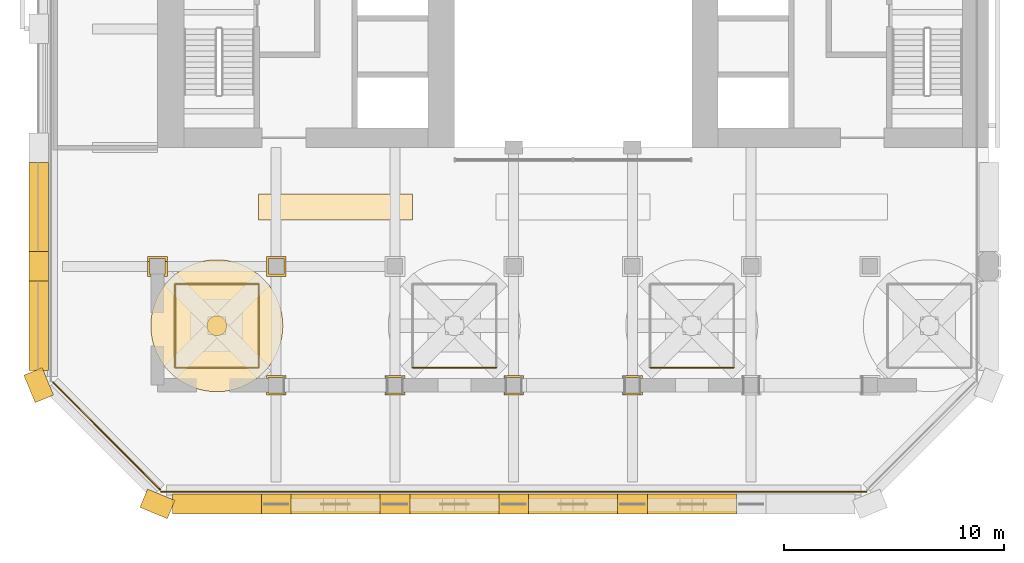
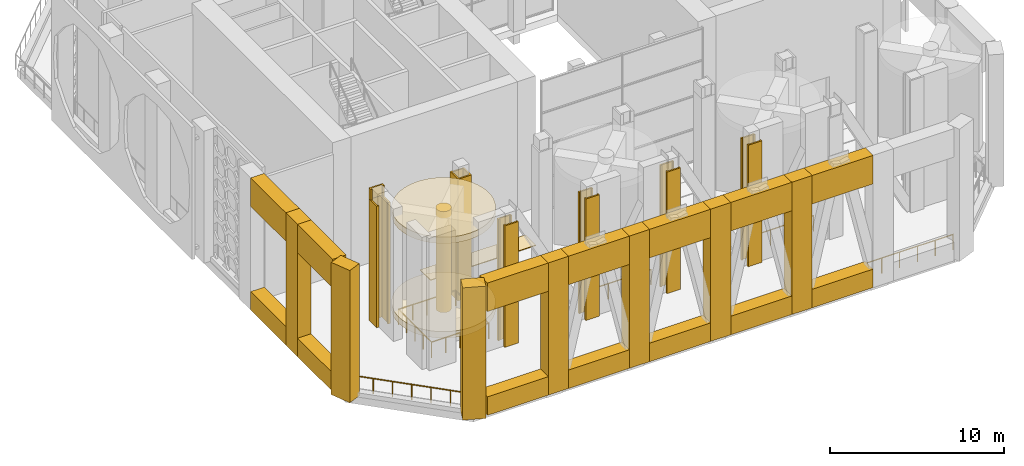
# One storey, part 21 of 28: 36 coverings, 8 railings.
"""IFC4 building model written with IfcOpenShell, lengths in metres."""

from ifc_helpers import new_model, si_unit, direction, frame, frame_2d, origin, origin_2d, place, context, subcontext, project, spatial, polyline, rectangle, circle, outline, extrude, material, layer, layer_set, material_profile, profile_set, type_object, element, save


model = new_model("IFC4")

# Units and contexts
model_context = context("Model", 3, precision=1e-05, world=origin(), true_north=direction((0.0, 1.0)))
body_context = subcontext(model_context, "Body", "Model", "MODEL_VIEW")
ifc_project = project(units=[si_unit("LENGTHUNIT", "METRE"), si_unit("AREAUNIT", "SQUARE_METRE"), si_unit("VOLUMEUNIT", "CUBIC_METRE"), si_unit("PLANEANGLEUNIT", "RADIAN"), si_unit("MASSUNIT", "GRAM", prefix="KILO")], contexts=[model_context])

# Site, building, storey
site_placement = place(None, origin())
site = spatial("IfcSite", under=ifc_project, at=site_placement, CompositionType="ELEMENT")
building_placement = place(site_placement, origin())
building = spatial("IfcBuilding", under=site, at=building_placement, Name="Tabaq Tower and Sports Hall", CompositionType="ELEMENT")
storey_placement = place(building_placement, frame((0.0, 0.0, 233.5)))
storey = spatial("IfcBuildingStorey", under=building, at=storey_placement, Name="L59", CompositionType="ELEMENT", Elevation=233.5)

# Coverings
ifc_material_1 = material(Name="Precast concrete C60/75", Category="concrete")
ifc_layer_1 = layer(ifc_material_1, 0.10009765625)
ifc_layer_set_1 = layer_set([ifc_layer_1], Name="Column cladding 100")
covering_type_1 = type_object("IfcCoveringType", Name="Column cladding 100", PredefinedType="CLADDING", material=ifc_layer_set_1)
covering_1_placement = place(storey_placement, origin())
element("IfcCovering", 1, at=covering_1_placement, inside=storey, type_object=covering_type_1, Name="Column cladding L59 CC-2C-S2", PredefinedType="CLADDING", context=body_context, shape_type="SweptSolid", body=[
    extrude(outline(polyline([(5.099609375, 10.44970703125), (5.099609375, 10.350341796875), (4.9501953125, 10.350341796875), (4.9501953125, 11.249755859375), (5.849609375, 11.249755859375), (5.849609375, 10.350341796875), (5.7001953125, 10.350341796875), (5.7001953125, 10.44970703125), (5.750244140625, 10.44970703125), (5.750244140625, 11.150390625), (5.0498046875, 11.150390625), (5.0498046875, 10.44970703125), (5.099609375, 10.44970703125)])), origin(), (0.0, 0.0, 1.0), 8.550048828125),
])
covering_2_placement = place(storey_placement, frame((0.0, 0.0, 8.550048828125)))
element("IfcCovering", 2, at=covering_2_placement, inside=storey, type_object=covering_type_1, Name="Column cladding L59 CC-2C-S2 head", PredefinedType="CLADDING", context=body_context, shape_type="SweptSolid", body=[
    extrude(outline(polyline([(5.04931640625, 11.025634765625), (4.95068359375, 11.025634765625), (4.95068359375, 11.24951171875), (5.849365234375, 11.24951171875), (5.849365234375, 11.025634765625), (5.75048828125, 11.025634765625), (5.75048828125, 11.150634765625), (5.04931640625, 11.150634765625), (5.04931640625, 11.025634765625)])), origin(), (0.0, 0.0, 1.0), 0.75),
])
covering_3_placement = place(storey_placement, origin())
element("IfcCovering", 3, at=covering_3_placement, inside=storey, type_object=covering_type_1, Name="Column cladding L59 CC-3B-S2", PredefinedType="CLADDING", context=body_context, shape_type="SweptSolid", body=[
    extrude(outline(polyline([(10.449462890625, 5.099365234375), (10.449462890625, 5.04931640625), (11.134521484375, 5.04931640625), (11.134521484375, 4.99951171875), (11.16552734375, 4.99951171875), (11.16552734375, 5.099365234375), (11.24951171875, 5.099365234375), (11.24951171875, 4.95068359375), (10.3505859375, 4.95068359375), (10.3505859375, 5.099365234375), (10.449462890625, 5.099365234375)])), origin(), (0.0, 0.0, 1.0), 8.550048828125),
])
covering_4_placement = place(storey_placement, origin())
element("IfcCovering", 4, at=covering_4_placement, inside=storey, type_object=covering_type_1, Name="Column cladding L59 CC-3B-S2 2", PredefinedType="CLADDING", context=body_context, shape_type="SweptSolid", body=[
    extrude(outline(polyline([(10.449462890625, 5.70068359375), (10.3505859375, 5.70068359375), (10.3505859375, 5.849365234375), (11.24951171875, 5.849365234375), (11.24951171875, 5.70068359375), (11.16552734375, 5.70068359375), (11.16552734375, 5.800537109375), (11.134521484375, 5.800537109375), (11.134521484375, 5.75048828125), (10.449462890625, 5.75048828125), (10.449462890625, 5.70068359375)])), origin(), (0.0, 0.0, 1.0), 8.550048828125),
])
covering_5_placement = place(storey_placement, origin())
element("IfcCovering", 5, at=covering_5_placement, inside=storey, type_object=covering_type_1, Name="Column cladding L59 CC-3C-S2", PredefinedType="CLADDING", context=body_context, shape_type="SweptSolid", body=[
    extrude(outline(polyline([(10.350341796875, 11.249755859375), (11.249755859375, 11.249755859375), (11.249755859375, 10.350341796875), (10.350341796875, 10.350341796875), (10.350341796875, 11.249755859375)]), holes=[polyline([(11.150390625, 10.44970703125), (11.150390625, 11.150390625), (10.44970703125, 11.150390625), (10.44970703125, 10.44970703125), (11.150390625, 10.44970703125)])]), origin(), (0.0, 0.0, 1.0), 8.550048828125),
])
covering_6_placement = place(storey_placement, origin())
element("IfcCovering", 6, at=covering_6_placement, inside=storey, type_object=covering_type_1, Name="Column cladding L59 CC-4B-S2", PredefinedType="CLADDING", context=body_context, shape_type="SweptSolid", body=[
    extrude(outline(polyline([(16.649658203125, 4.9501953125), (15.750244140625, 4.9501953125), (15.750244140625, 5.099609375), (15.834716796875, 5.099609375), (15.834716796875, 4.999755859375), (15.865234375, 4.999755859375), (15.865234375, 5.0498046875), (16.53466796875, 5.0498046875), (16.53466796875, 4.999755859375), (16.565185546875, 4.999755859375), (16.565185546875, 5.099609375), (16.649658203125, 5.099609375), (16.649658203125, 4.9501953125)])), origin(), (0.0, 0.0, 1.0), 8.550048828125),
])
covering_7_placement = place(storey_placement, origin())
element("IfcCovering", 7, at=covering_7_placement, inside=storey, type_object=covering_type_1, Name="Column cladding L59 CC-4B-S2 2", PredefinedType="CLADDING", context=body_context, shape_type="SweptSolid", body=[
    extrude(outline(polyline([(16.649658203125, 5.849609375), (16.649658203125, 5.7001953125), (16.565185546875, 5.7001953125), (16.565185546875, 5.80029296875), (16.53466796875, 5.80029296875), (16.53466796875, 5.750244140625), (15.865234375, 5.750244140625), (15.865234375, 5.80029296875), (15.834716796875, 5.80029296875), (15.834716796875, 5.7001953125), (15.750244140625, 5.7001953125), (15.750244140625, 5.849609375), (16.649658203125, 5.849609375)])), origin(), (0.0, 0.0, 1.0), 8.550048828125),
])
covering_8_placement = place(storey_placement, origin())
element("IfcCovering", 8, at=covering_8_placement, inside=storey, type_object=covering_type_1, Name="Column cladding L59 CC-5B-S2", PredefinedType="CLADDING", context=body_context, shape_type="SweptSolid", body=[
    extrude(outline(polyline([(22.0498046875, 4.9501953125), (21.150390625, 4.9501953125), (21.150390625, 5.099609375), (21.234619140625, 5.099609375), (21.234619140625, 4.999755859375), (21.265380859375, 4.999755859375), (21.265380859375, 5.0498046875), (21.934814453125, 5.0498046875), (21.934814453125, 4.999755859375), (21.96533203125, 4.999755859375), (21.96533203125, 5.099609375), (22.0498046875, 5.099609375), (22.0498046875, 4.9501953125)])), origin(), (0.0, 0.0, 1.0), 8.550048828125),
])
covering_9_placement = place(storey_placement, origin())
element("IfcCovering", 9, at=covering_9_placement, inside=storey, type_object=covering_type_1, Name="Column cladding L59 CC-5B-S2 2", PredefinedType="CLADDING", context=body_context, shape_type="SweptSolid", body=[
    extrude(outline(polyline([(22.0498046875, 5.849609375), (22.0498046875, 5.7001953125), (21.96533203125, 5.7001953125), (21.96533203125, 5.80029296875), (21.934814453125, 5.80029296875), (21.934814453125, 5.750244140625), (21.265380859375, 5.750244140625), (21.265380859375, 5.80029296875), (21.234619140625, 5.80029296875), (21.234619140625, 5.7001953125), (21.150390625, 5.7001953125), (21.150390625, 5.849609375), (22.0498046875, 5.849609375)])), origin(), (0.0, 0.0, 1.0), 8.550048828125),
])
covering_10_placement = place(storey_placement, origin())
element("IfcCovering", 10, at=covering_10_placement, inside=storey, type_object=covering_type_1, Name="Column cladding L59 CC-6B-S2", PredefinedType="CLADDING", context=body_context, shape_type="SweptSolid", body=[
    extrude(outline(polyline([(27.44970703125, 4.9501953125), (26.55029296875, 4.9501953125), (26.55029296875, 5.099609375), (26.634765625, 5.099609375), (26.634765625, 4.999755859375), (26.665283203125, 4.999755859375), (26.665283203125, 5.0498046875), (27.334716796875, 5.0498046875), (27.334716796875, 4.999755859375), (27.365234375, 4.999755859375), (27.365234375, 5.099609375), (27.44970703125, 5.099609375), (27.44970703125, 4.9501953125)])), origin(), (0.0, 0.0, 1.0), 8.550048828125),
])
covering_11_placement = place(storey_placement, origin())
element("IfcCovering", 11, at=covering_11_placement, inside=storey, type_object=covering_type_1, Name="Column cladding L59 CC-6B-S2 2", PredefinedType="CLADDING", context=body_context, shape_type="SweptSolid", body=[
    extrude(outline(polyline([(27.44970703125, 5.849609375), (27.44970703125, 5.7001953125), (27.365234375, 5.7001953125), (27.365234375, 5.80029296875), (27.334716796875, 5.80029296875), (27.334716796875, 5.750244140625), (26.665283203125, 5.750244140625), (26.665283203125, 5.80029296875), (26.634765625, 5.80029296875), (26.634765625, 5.7001953125), (26.55029296875, 5.7001953125), (26.55029296875, 5.849609375), (27.44970703125, 5.849609375)])), origin(), (0.0, 0.0, 1.0), 8.550048828125),
])

# Railings
ifc_material_2 = material(Name="Stainless steel S316 and laminated glass", Category="steel")
railing_type = type_object("IfcRailingType", Name="Guard 1100 steel and glass", PredefinedType="GUARDRAIL", material=ifc_material_2)
railing_1_placement = place(storey_placement, frame((5.565673828125, 0.550048828125, 0.0)))
element("IfcRailing", 12, at=railing_1_placement, inside=storey, type_object=railing_type, Name="Guard L59 S", PredefinedType="GUARDRAIL", context=body_context, shape_type="SweptSolid", body=[
    extrude(circle(Radius=0.02490234375, at=origin_2d()), frame((0.0, 0.0, 1.0751953125), z_axis=(1.0, 0.0, 0.0), x_axis=(0.0, 1.0, 0.0)), (0.0, 0.0, 1.0), 32.068603515625),
    extrude(circle(Radius=0.02001953125, at=origin_2d()), origin(), (0.0, 0.0, 1.0), 1.050048828125),
    extrude(circle(Radius=0.02001953125, at=origin_2d()), frame((1.187744140625, 0.0, 0.0)), (0.0, 0.0, 1.0), 1.050048828125),
    extrude(circle(Radius=0.02001953125, at=origin_2d()), frame((2.37548828125, 0.0, 0.0)), (0.0, 0.0, 1.0), 1.050048828125),
    extrude(circle(Radius=0.02001953125, at=origin_2d()), frame((3.563232421875, 0.0, 0.0)), (0.0, 0.0, 1.0), 1.050048828125),
    extrude(circle(Radius=0.02001953125, at=origin_2d()), frame((4.7509765625, 0.0, 0.0)), (0.0, 0.0, 1.0), 1.050048828125),
    extrude(circle(Radius=0.02001953125, at=origin_2d()), frame((5.938720703125, 0.0, 0.0)), (0.0, 0.0, 1.0), 1.050048828125),
    extrude(circle(Radius=0.02001953125, at=origin_2d()), frame((7.12646484375, 0.0, 0.0)), (0.0, 0.0, 1.0), 1.050048828125),
    extrude(circle(Radius=0.02001953125, at=origin_2d()), frame((8.31396484375, 0.0, 0.0)), (0.0, 0.0, 1.0), 1.050048828125),
    extrude(circle(Radius=0.02001953125, at=origin_2d()), frame((9.501708984375, 0.0, 0.0)), (0.0, 0.0, 1.0), 1.050048828125),
    extrude(circle(Radius=0.02001953125, at=origin_2d()), frame((10.689453125, 0.0, 0.0)), (0.0, 0.0, 1.0), 1.050048828125),
    extrude(circle(Radius=0.02001953125, at=origin_2d()), frame((11.877197265625, 0.0, 0.0)), (0.0, 0.0, 1.0), 1.050048828125),
    extrude(circle(Radius=0.02001953125, at=origin_2d()), frame((13.06494140625, 0.0, 0.0)), (0.0, 0.0, 1.0), 1.050048828125),
    extrude(circle(Radius=0.02001953125, at=origin_2d()), frame((14.252685546875, 0.0, 0.0)), (0.0, 0.0, 1.0), 1.050048828125),
    extrude(circle(Radius=0.02001953125, at=origin_2d()), frame((15.4404296875, 0.0, 0.0)), (0.0, 0.0, 1.0), 1.050048828125),
    extrude(circle(Radius=0.02001953125, at=origin_2d()), frame((16.628173828125, 0.0, 0.0)), (0.0, 0.0, 1.0), 1.050048828125),
    extrude(circle(Radius=0.02001953125, at=origin_2d()), frame((17.81591796875, 0.0, 0.0)), (0.0, 0.0, 1.0), 1.050048828125),
    extrude(circle(Radius=0.02001953125, at=origin_2d()), frame((19.003662109375, 0.0, 0.0)), (0.0, 0.0, 1.0), 1.050048828125),
    extrude(circle(Radius=0.02001953125, at=origin_2d()), frame((20.19140625, 0.0, 0.0)), (0.0, 0.0, 1.0), 1.050048828125),
    extrude(circle(Radius=0.02001953125, at=origin_2d()), frame((21.379150390625, 0.0, 0.0)), (0.0, 0.0, 1.0), 1.050048828125),
    extrude(circle(Radius=0.02001953125, at=origin_2d()), frame((22.56689453125, 0.0, 0.0)), (0.0, 0.0, 1.0), 1.050048828125),
    extrude(circle(Radius=0.02001953125, at=origin_2d()), frame((23.754638671875, 0.0, 0.0)), (0.0, 0.0, 1.0), 1.050048828125),
    extrude(circle(Radius=0.02001953125, at=origin_2d()), frame((24.942138671875, 0.0, 0.0)), (0.0, 0.0, 1.0), 1.050048828125),
    extrude(circle(Radius=0.02001953125, at=origin_2d()), frame((26.1298828125, 0.0, 0.0)), (0.0, 0.0, 1.0), 1.050048828125),
    extrude(circle(Radius=0.02001953125, at=origin_2d()), frame((27.317626953125, 0.0, 0.0)), (0.0, 0.0, 1.0), 1.050048828125),
    extrude(circle(Radius=0.02001953125, at=origin_2d()), frame((28.50537109375, 0.0, 0.0)), (0.0, 0.0, 1.0), 1.050048828125),
    extrude(circle(Radius=0.02001953125, at=origin_2d()), frame((29.693115234375, 0.0, 0.0)), (0.0, 0.0, 1.0), 1.050048828125),
    extrude(circle(Radius=0.02001953125, at=origin_2d()), frame((30.880859375, 0.0, 0.0)), (0.0, 0.0, 1.0), 1.050048828125),
    extrude(circle(Radius=0.02001953125, at=origin_2d()), frame((32.068603515625, 0.0, 0.0)), (0.0, 0.0, 1.0), 1.050048828125),
])
railing_2_placement = place(storey_placement, frame((0.64892578125, 5.52880859375, 0.0)))
element("IfcRailing", 13, at=railing_2_placement, inside=storey, type_object=railing_type, Name="Guard L59 SW", PredefinedType="GUARDRAIL", context=body_context, shape_type="SweptSolid", body=[
    extrude(circle(Radius=0.02490234375, at=origin_2d()), frame((0.0, 0.0, 1.0751953125), z_axis=(0.707106781187, -0.707106781187, 0.0), x_axis=(0.707106781187, 0.707106781187, 0.0)), (0.0, 0.0, 1.0), 6.901123046875),
    extrude(circle(Radius=0.02001953125, at=origin_2d()), origin(), (0.0, 0.0, 1.0), 1.050048828125),
    extrude(circle(Radius=0.02001953125, at=origin_2d()), frame((0.813232421875, -0.813232421875, 0.0)), (0.0, 0.0, 1.0), 1.050048828125),
    extrude(circle(Radius=0.02001953125, at=origin_2d()), frame((1.626708984375, -1.626708984375, 0.0)), (0.0, 0.0, 1.0), 1.050048828125),
    extrude(circle(Radius=0.02001953125, at=origin_2d()), frame((2.43994140625, -2.43994140625, 0.0)), (0.0, 0.0, 1.0), 1.050048828125),
    extrude(circle(Radius=0.02001953125, at=origin_2d()), frame((3.253173828125, -3.253173828125, 0.0)), (0.0, 0.0, 1.0), 1.050048828125),
    extrude(circle(Radius=0.02001953125, at=origin_2d()), frame((4.066650390625, -4.066650390625, 0.0)), (0.0, 0.0, 1.0), 1.050048828125),
    extrude(circle(Radius=0.02001953125, at=origin_2d()), frame((4.8798828125, -4.8798828125, 0.0)), (0.0, 0.0, 1.0), 1.050048828125),
])
railing_3_placement = place(storey_placement, frame((6.199951171875, 6.199951171875, 0.0)))
element("IfcRailing", 14, at=railing_3_placement, inside=storey, type_object=railing_type, Name="Turbine guard 1", PredefinedType="GUARDRAIL", context=body_context, shape_type="SweptSolid", body=[
    extrude(circle(Radius=0.02490234375, at=origin_2d()), frame((0.0, 0.0, 1.0751953125), z_axis=(1.0, 0.0, 0.0), x_axis=(0.0, 1.0, 0.0)), (0.0, 0.0, 1.0), 3.800048828125),
    extrude(circle(Radius=0.02001953125, at=origin_2d()), origin(), (0.0, 0.0, 1.0), 1.050048828125),
    extrude(circle(Radius=0.02001953125, at=origin_2d()), frame((0.949951171875, 0.0, 0.0)), (0.0, 0.0, 1.0), 1.050048828125),
    extrude(circle(Radius=0.02001953125, at=origin_2d()), frame((1.89990234375, 0.0, 0.0)), (0.0, 0.0, 1.0), 1.050048828125),
    extrude(circle(Radius=0.02001953125, at=origin_2d()), frame((2.85009765625, 0.0, 0.0)), (0.0, 0.0, 1.0), 1.050048828125),
    extrude(circle(Radius=0.02001953125, at=origin_2d()), frame((3.800048828125, 0.0, 0.0)), (0.0, 0.0, 1.0), 1.050048828125),
])
railing_4_placement = place(storey_placement, frame((10.0, 6.199951171875, 0.0)))
element("IfcRailing", 15, at=railing_4_placement, inside=storey, type_object=railing_type, Name="Turbine guard 1", PredefinedType="GUARDRAIL", context=body_context, shape_type="SweptSolid", body=[
    extrude(circle(Radius=0.02490234375, at=origin_2d()), frame((0.0, 0.0, 1.0751953125), z_axis=(0.0, 1.0, 0.0), x_axis=(-1.0, 0.0, 0.0)), (0.0, 0.0, 1.0), 3.800048828125),
    extrude(circle(Radius=0.02001953125, at=origin_2d()), origin(), (0.0, 0.0, 1.0), 1.050048828125),
    extrude(circle(Radius=0.02001953125, at=origin_2d()), frame((0.0, 0.949951171875, 0.0)), (0.0, 0.0, 1.0), 1.050048828125),
    extrude(circle(Radius=0.02001953125, at=origin_2d()), frame((0.0, 1.89990234375, 0.0)), (0.0, 0.0, 1.0), 1.050048828125),
    extrude(circle(Radius=0.02001953125, at=origin_2d()), frame((0.0, 2.85009765625, 0.0)), (0.0, 0.0, 1.0), 1.050048828125),
    extrude(circle(Radius=0.02001953125, at=origin_2d()), frame((0.0, 3.800048828125, 0.0)), (0.0, 0.0, 1.0), 1.050048828125),
])
railing_5_placement = place(storey_placement, frame((10.0, 10.0, 0.0)))
element("IfcRailing", 16, at=railing_5_placement, inside=storey, type_object=railing_type, Name="Turbine guard 1", PredefinedType="GUARDRAIL", context=body_context, shape_type="SweptSolid", body=[
    extrude(circle(Radius=0.02490234375, at=origin_2d()), frame((0.0, 0.0, 1.0751953125), z_axis=(-1.0, 0.0, 0.0), x_axis=(0.0, -1.0, 0.0)), (0.0, 0.0, 1.0), 3.800048828125),
    extrude(circle(Radius=0.02001953125, at=origin_2d()), origin(), (0.0, 0.0, 1.0), 1.050048828125),
    extrude(circle(Radius=0.02001953125, at=origin_2d()), frame((-0.949951171875, 0.0, 0.0)), (0.0, 0.0, 1.0), 1.050048828125),
    extrude(circle(Radius=0.02001953125, at=origin_2d()), frame((-1.89990234375, 0.0, 0.0)), (0.0, 0.0, 1.0), 1.050048828125),
    extrude(circle(Radius=0.02001953125, at=origin_2d()), frame((-2.85009765625, 0.0, 0.0)), (0.0, 0.0, 1.0), 1.050048828125),
    extrude(circle(Radius=0.02001953125, at=origin_2d()), frame((-3.800048828125, 0.0, 0.0)), (0.0, 0.0, 1.0), 1.050048828125),
])
railing_6_placement = place(storey_placement, frame((6.199951171875, 10.0, 0.0)))
element("IfcRailing", 17, at=railing_6_placement, inside=storey, type_object=railing_type, Name="Turbine guard 1", PredefinedType="GUARDRAIL", context=body_context, shape_type="SweptSolid", body=[
    extrude(circle(Radius=0.02490234375, at=origin_2d()), frame((0.0, 0.0, 1.0751953125), z_axis=(0.0, -1.0, 0.0), x_axis=(1.0, 0.0, 0.0)), (0.0, 0.0, 1.0), 3.800048828125),
    extrude(circle(Radius=0.02001953125, at=origin_2d()), origin(), (0.0, 0.0, 1.0), 1.050048828125),
    extrude(circle(Radius=0.02001953125, at=origin_2d()), frame((0.0, -0.949951171875, 0.0)), (0.0, 0.0, 1.0), 1.050048828125),
    extrude(circle(Radius=0.02001953125, at=origin_2d()), frame((0.0, -1.89990234375, 0.0)), (0.0, 0.0, 1.0), 1.050048828125),
    extrude(circle(Radius=0.02001953125, at=origin_2d()), frame((0.0, -2.85009765625, 0.0)), (0.0, 0.0, 1.0), 1.050048828125),
    extrude(circle(Radius=0.02001953125, at=origin_2d()), frame((0.0, -3.800048828125, 0.0)), (0.0, 0.0, 1.0), 1.050048828125),
])
for number, where, name in (
    (18, (17.0, 6.199951171875, 0.0), "Turbine guard 2"),
    (19, (27.800048828125, 6.199951171875, 0.0), "Turbine guard 3"),
):
    element("IfcRailing", number, at=place(storey_placement, frame(where)), inside=storey, type_object=railing_type, Name=name, PredefinedType="GUARDRAIL", context=body_context, shape_type="SweptSolid", body=[
        extrude(circle(Radius=0.02490234375, at=origin_2d()), frame((0.0, 0.0, 1.0751953125), z_axis=(1.0, 0.0, 0.0), x_axis=(0.0, 1.0, 0.0)), (0.0, 0.0, 1.0), 3.800048828125),
        extrude(circle(Radius=0.02001953125, at=origin_2d()), origin(), (0.0, 0.0, 1.0), 1.050048828125),
        extrude(circle(Radius=0.02001953125, at=origin_2d()), frame((0.949951171875, 0.0, 0.0)), (0.0, 0.0, 1.0), 1.050048828125),
        extrude(circle(Radius=0.02001953125, at=origin_2d()), frame((1.89990234375, 0.0, 0.0)), (0.0, 0.0, 1.0), 1.050048828125),
        extrude(circle(Radius=0.02001953125, at=origin_2d()), frame((2.85009765625, 0.0, 0.0)), (0.0, 0.0, 1.0), 1.050048828125),
        extrude(circle(Radius=0.02001953125, at=origin_2d()), frame((3.800048828125, 0.0, 0.0)), (0.0, 0.0, 1.0), 1.050048828125),
    ])

# Coverings
ifc_material_3 = material(Name="White precast concrete C60/75", Category="concrete")
covering_type_2 = type_object("IfcCoveringType", Name="Pier cladding hung 1350x900", PredefinedType="CLADDING", material=ifc_material_3)
for number, where, z_axis, x_axis, name in (
    (20, (-0.25830078125, 6.023681640625, 0.0), (0.0, 0.0, 1.0), (0.382649923473, -0.923893411637, 0.0), "Hung pier cladding 0/1"),
    (21, (0.0, 11.47509765625, 0.0), (0.0, 0.0, 1.0), (0.0, -1.0, 0.0), "Hung pier cladding 0/2"),
    (22, (4.7763671875, 0.25830078125, 0.0), (0.0, 0.0, 1.0), (0.923893411637, -0.382649923473, 0.0), "Hung pier cladding 1/0"),
    (23, (10.125, 0.0, 0.0), (0.0, 0.0, 1.0), (1.0, 0.0, 0.0), "Hung pier cladding 2/0"),
    (24, (15.52490234375, 0.0, 0.0), (0.0, 0.0, 1.0), (1.0, 0.0, 0.0), "Hung pier cladding 3/0"),
):
    element("IfcCovering", number, at=place(storey_placement, frame(where, z_axis=z_axis, x_axis=x_axis)), inside=storey, type_object=covering_type_2, Name=name, PredefinedType="CLADDING", context=body_context, shape_type="SweptSolid", body=[
        extrude(rectangle(XDim=1.35009765625, YDim=0.89990234375, at=frame_2d((0.675048828125, 0.0))), origin(), (0.0, 0.0, 1.0), 9.300048828125),
    ])
covering_12_placement = place(storey_placement, frame((20.925048828125, 0.0, 0.0), z_axis=(0.0, 0.0, 1.0), x_axis=(1.0, 0.0, 0.0)))
element("IfcCovering", 25, at=covering_12_placement, inside=storey, type_object=covering_type_2, Name="Hung pier cladding 4/0", PredefinedType="CLADDING", context=body_context, shape_type="SweptSolid", body=[
    extrude(rectangle(XDim=1.349853515625, YDim=0.89990234375, at=frame_2d((0.6748046875, 0.0))), origin(), (0.0, 0.0, 1.0), 9.300048828125),
])
covering_13_placement = place(storey_placement, frame((26.324951171875, 0.0, 0.0), z_axis=(0.0, 0.0, 1.0), x_axis=(1.0, 0.0, 0.0)))
element("IfcCovering", 26, at=covering_13_placement, inside=storey, type_object=covering_type_2, Name="Hung pier cladding 5/0", PredefinedType="CLADDING", context=body_context, shape_type="SweptSolid", body=[
    extrude(rectangle(XDim=1.35009765625, YDim=0.89990234375, at=frame_2d((0.675048828125, 0.0))), origin(), (0.0, 0.0, 1.0), 9.300048828125),
])
ifc_material_4 = material(Name="White precast concrete C60/75", Category="concrete")
covering_type_3 = type_object("IfcCoveringType", Name="Slot frame cladding 1000", PredefinedType="CLADDING", material=ifc_material_4)
covering_14_placement = place(storey_placement, frame((8.10009765625, 0.0, 7.300048828125), z_axis=(0.0, 0.0, 1.0), x_axis=(1.0, 0.0, 0.0)))
element("IfcCovering", 27, at=covering_14_placement, inside=storey, type_object=covering_type_3, Name="Slot frame cladding head", PredefinedType="CLADDING", context=body_context, shape_type="SweptSolid", body=[
    extrude(rectangle(XDim=4.050048828125, YDim=0.89990234375, at=origin_2d()), origin(), (0.0, 0.0, 1.0), 2.0),
])
covering_15_placement = place(storey_placement, frame((8.10009765625, 0.0, 0.0), z_axis=(0.0, 0.0, 1.0), x_axis=(1.0, 0.0, 0.0)))
element("IfcCovering", 28, at=covering_15_placement, inside=storey, type_object=covering_type_3, Name="Slot frame cladding sill", PredefinedType="CLADDING", context=body_context, shape_type="SweptSolid", body=[
    extrude(rectangle(XDim=4.050048828125, YDim=0.89990234375, at=origin_2d()), origin(), (0.0, 0.0, 1.0), 1.300048828125),
])
covering_16_placement = place(storey_placement, frame((13.5, 0.0, 7.300048828125), z_axis=(0.0, 0.0, 1.0), x_axis=(1.0, 0.0, 0.0)))
element("IfcCovering", 29, at=covering_16_placement, inside=storey, type_object=covering_type_3, Name="Slot frame cladding head", PredefinedType="CLADDING", context=body_context, shape_type="SweptSolid", body=[
    extrude(rectangle(XDim=4.050048828125, YDim=0.89990234375, at=origin_2d()), origin(), (0.0, 0.0, 1.0), 2.0),
])
covering_17_placement = place(storey_placement, frame((13.5, 0.0, 0.0), z_axis=(0.0, 0.0, 1.0), x_axis=(1.0, 0.0, 0.0)))
element("IfcCovering", 30, at=covering_17_placement, inside=storey, type_object=covering_type_3, Name="Slot frame cladding sill", PredefinedType="CLADDING", context=body_context, shape_type="SweptSolid", body=[
    extrude(rectangle(XDim=4.050048828125, YDim=0.89990234375, at=origin_2d()), origin(), (0.0, 0.0, 1.0), 1.300048828125),
])
covering_18_placement = place(storey_placement, frame((18.89990234375, 0.0, 7.300048828125), z_axis=(0.0, 0.0, 1.0), x_axis=(1.0, 0.0, 0.0)))
element("IfcCovering", 31, at=covering_18_placement, inside=storey, type_object=covering_type_3, Name="Slot frame cladding head", PredefinedType="CLADDING", context=body_context, shape_type="SweptSolid", body=[
    extrude(rectangle(XDim=4.050048828125, YDim=0.89990234375, at=origin_2d()), origin(), (0.0, 0.0, 1.0), 2.0),
])
covering_19_placement = place(storey_placement, frame((18.89990234375, 0.0, 0.0), z_axis=(0.0, 0.0, 1.0), x_axis=(1.0, 0.0, 0.0)))
element("IfcCovering", 32, at=covering_19_placement, inside=storey, type_object=covering_type_3, Name="Slot frame cladding sill", PredefinedType="CLADDING", context=body_context, shape_type="SweptSolid", body=[
    extrude(rectangle(XDim=4.050048828125, YDim=0.89990234375, at=origin_2d()), origin(), (0.0, 0.0, 1.0), 1.300048828125),
])
covering_20_placement = place(storey_placement, frame((24.300048828125, 0.0, 7.300048828125), z_axis=(0.0, 0.0, 1.0), x_axis=(1.0, 0.0, 0.0)))
element("IfcCovering", 33, at=covering_20_placement, inside=storey, type_object=covering_type_3, Name="Slot frame cladding head", PredefinedType="CLADDING", context=body_context, shape_type="SweptSolid", body=[
    extrude(rectangle(XDim=4.050048828125, YDim=0.89990234375, at=origin_2d()), origin(), (0.0, 0.0, 1.0), 2.0),
])
covering_21_placement = place(storey_placement, frame((24.300048828125, 0.0, 0.0), z_axis=(0.0, 0.0, 1.0), x_axis=(1.0, 0.0, 0.0)))
element("IfcCovering", 34, at=covering_21_placement, inside=storey, type_object=covering_type_3, Name="Slot frame cladding sill", PredefinedType="CLADDING", context=body_context, shape_type="SweptSolid", body=[
    extrude(rectangle(XDim=4.050048828125, YDim=0.89990234375, at=origin_2d()), origin(), (0.0, 0.0, 1.0), 1.300048828125),
])
covering_22_placement = place(storey_placement, frame((29.699951171875, 0.0, 7.300048828125), z_axis=(0.0, 0.0, 1.0), x_axis=(1.0, 0.0, 0.0)))
element("IfcCovering", 35, at=covering_22_placement, inside=storey, type_object=covering_type_3, Name="Slot frame cladding head", PredefinedType="CLADDING", context=body_context, shape_type="SweptSolid", body=[
    extrude(rectangle(XDim=4.050048828125, YDim=0.89990234375, at=origin_2d()), origin(), (0.0, 0.0, 1.0), 2.0),
])
covering_23_placement = place(storey_placement, frame((29.699951171875, 0.0, 0.0), z_axis=(0.0, 0.0, 1.0), x_axis=(1.0, 0.0, 0.0)))
element("IfcCovering", 36, at=covering_23_placement, inside=storey, type_object=covering_type_3, Name="Slot frame cladding sill", PredefinedType="CLADDING", context=body_context, shape_type="SweptSolid", body=[
    extrude(rectangle(XDim=4.050048828125, YDim=0.89990234375, at=origin_2d()), origin(), (0.0, 0.0, 1.0), 1.300048828125),
])
covering_24_placement = place(storey_placement, frame((0.0, 13.5, 7.300048828125), z_axis=(0.0, 0.0, 1.0), x_axis=(0.0, -1.0, 0.0)))
element("IfcCovering", 37, at=covering_24_placement, inside=storey, type_object=covering_type_3, Name="Slot frame cladding head", PredefinedType="CLADDING", context=body_context, shape_type="SweptSolid", body=[
    extrude(rectangle(XDim=4.050048828125, YDim=0.89990234375, at=origin_2d()), origin(), (0.0, 0.0, 1.0), 2.0),
])
covering_25_placement = place(storey_placement, frame((0.0, 13.5, 0.0), z_axis=(0.0, 0.0, 1.0), x_axis=(0.0, -1.0, 0.0)))
element("IfcCovering", 38, at=covering_25_placement, inside=storey, type_object=covering_type_3, Name="Slot frame cladding sill", PredefinedType="CLADDING", context=body_context, shape_type="SweptSolid", body=[
    extrude(rectangle(XDim=4.050048828125, YDim=0.89990234375, at=origin_2d()), origin(), (0.0, 0.0, 1.0), 1.300048828125),
])
covering_26_placement = place(storey_placement, frame((0.0, 8.10009765625, 7.300048828125), z_axis=(0.0, 0.0, 1.0), x_axis=(0.0, -1.0, 0.0)))
element("IfcCovering", 39, at=covering_26_placement, inside=storey, type_object=covering_type_3, Name="Slot frame cladding head", PredefinedType="CLADDING", context=body_context, shape_type="SweptSolid", body=[
    extrude(rectangle(XDim=4.050048828125, YDim=0.89990234375, at=origin_2d()), origin(), (0.0, 0.0, 1.0), 2.0),
])
covering_27_placement = place(storey_placement, frame((0.0, 8.10009765625, 0.0), z_axis=(0.0, 0.0, 1.0), x_axis=(0.0, -1.0, 0.0)))
element("IfcCovering", 40, at=covering_27_placement, inside=storey, type_object=covering_type_3, Name="Slot frame cladding sill", PredefinedType="CLADDING", context=body_context, shape_type="SweptSolid", body=[
    extrude(rectangle(XDim=4.050048828125, YDim=0.89990234375, at=origin_2d()), origin(), (0.0, 0.0, 1.0), 1.300048828125),
])
ifc_material_5 = material(Name="Galvanised steel grating", Category="steel")
ifc_layer_2 = layer(ifc_material_5, 0.050048828125)
ifc_layer_set_2 = layer_set([ifc_layer_2], Name="Walkway grating WG1")
covering_type_4 = type_object("IfcCoveringType", Name="Walkway grating WG1", PredefinedType="FLOORING", material=ifc_layer_set_2)
covering_28_placement = place(storey_placement, frame((13.5, 13.5, 0.0), z_axis=(0.0, 0.0, 1.0), x_axis=(1.0, 0.0, 0.0)))
element("IfcCovering", 41, at=covering_28_placement, inside=storey, type_object=covering_type_4, Name="Maintenance walkway", PredefinedType="FLOORING", context=body_context, shape_type="SweptSolid", body=[
    extrude(rectangle(XDim=7.0, YDim=1.199951171875, at=origin_2d()), origin(), (0.0, 0.0, 1.0), 0.050048828125),
])
ifc_material_6 = material(Name="Galvanised steel tube", Category="steel")
ifc_material_profile_1 = material_profile(ifc_material_6, circle(Radius=0.449951171875, at=origin_2d()), Name="Wind turbine mast 900 steel tube")
ifc_profile_set_1 = profile_set([ifc_material_profile_1], Name="Galvanised steel tube")
covering_type_5 = type_object("IfcCoveringType", Name="Wind turbine mast 900 steel tube", PredefinedType="USERDEFINED", material=ifc_profile_set_1)
covering_29_placement = place(storey_placement, frame((8.10009765625, 8.10009765625, 8.739990234375), z_axis=(0.0, 0.0, -1.0), x_axis=(1.0, 0.0, 0.0)))
element("IfcCovering", 42, at=covering_29_placement, inside=storey, type_object=covering_type_5, Name="Wind turbine 1 mast", ObjectType="WIND TURBINE", PredefinedType="USERDEFINED", context=body_context, shape_type="SweptSolid", body=[
    extrude(circle(Radius=0.449951171875, at=origin_2d()), origin(), (0.0, 0.0, 1.0), 7.10009765625),
])
ifc_material_7 = material(Name="Aluminium alloy 6063-T6 ring plate", Category="aluminium")
ifc_material_profile_2 = material_profile(ifc_material_7, circle(Radius=3.0, at=origin_2d()), Name="Wind turbine ring 6000x450")
ifc_profile_set_2 = profile_set([ifc_material_profile_2], Name="Aluminium alloy 6063-T6 ring plate")
covering_type_6 = type_object("IfcCoveringType", Name="Wind turbine ring 6000x450", PredefinedType="USERDEFINED", material=ifc_profile_set_2)
for number, where, z_axis, x_axis, name in (
    (43, (8.10009765625, 8.10009765625, 2.090087890625), (0.0, 0.0, -1.0), (1.0, 0.0, 0.0), "Wind turbine 1 base ring"),
    (44, (8.10009765625, 8.10009765625, 8.739990234375), (0.0, 0.0, -1.0), (1.0, 0.0, 0.0), "Wind turbine 1 top ring"),
):
    element("IfcCovering", number, at=place(storey_placement, frame(where, z_axis=z_axis, x_axis=x_axis)), inside=storey, type_object=covering_type_6, Name=name, ObjectType="WIND TURBINE", PredefinedType="USERDEFINED", context=body_context, shape_type="SweptSolid", body=[
        extrude(circle(Radius=3.0, at=origin_2d()), origin(), (0.0, 0.0, 1.0), 0.449951171875),
    ])

save(model, "model.ifc")
